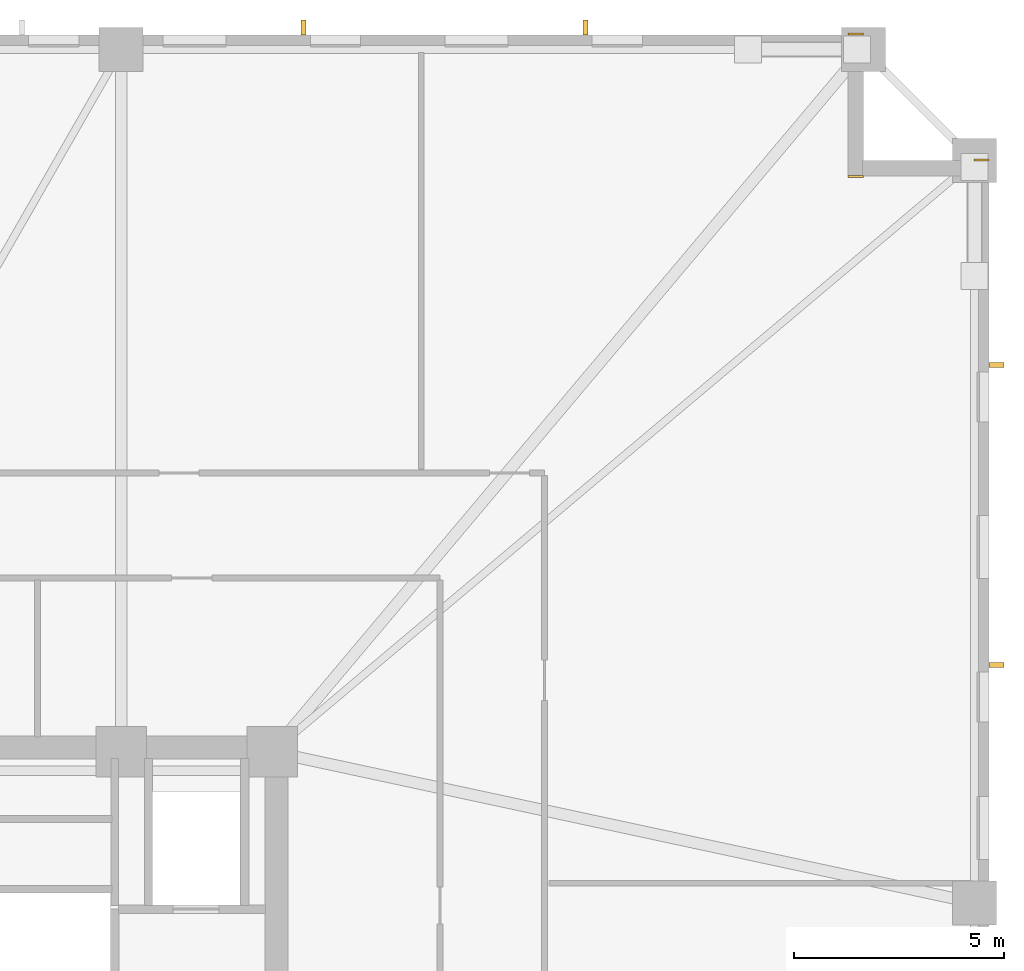
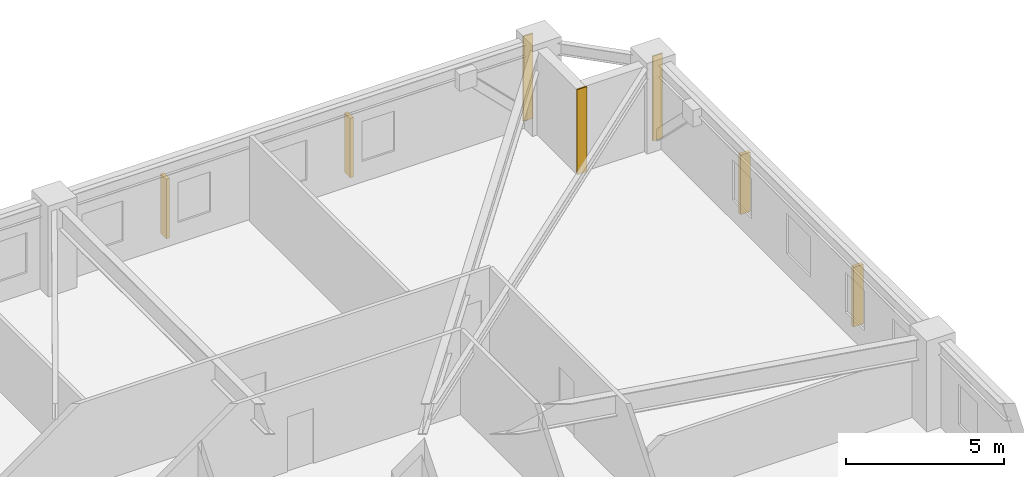
# One storey, part 11 of 11: 4 shading devices, 3 coverings.
"""IFC4 building model written with IfcOpenShell, lengths in metres."""

from ifc_helpers import new_model, si_unit, direction, frame, frame_2d, origin, origin_2d, place, context, subcontext, project, spatial, rectangle, extrude, material, layer, layer_set, type_object, element, save


model = new_model("IFC4")

# Units and contexts
model_context = context("Model", 3, precision=1e-05, world=origin(), true_north=direction((0.0, 1.0)))
body_context = subcontext(model_context, "Body", "Model", "MODEL_VIEW")
ifc_project = project(units=[si_unit("LENGTHUNIT", "METRE"), si_unit("AREAUNIT", "SQUARE_METRE"), si_unit("VOLUMEUNIT", "CUBIC_METRE"), si_unit("PLANEANGLEUNIT", "RADIAN"), si_unit("MASSUNIT", "GRAM", prefix="KILO")], contexts=[model_context])

# Site, building, storey
site_placement = place(None, origin())
site = spatial("IfcSite", under=ifc_project, at=site_placement, CompositionType="ELEMENT")
building_placement = place(site_placement, origin())
building = spatial("IfcBuilding", under=site, at=building_placement, Name="Cairnveth Concourse Tower", CompositionType="ELEMENT")
storey_placement = place(building_placement, frame((0.0, 0.0, 55.0)))
storey = spatial("IfcBuildingStorey", under=building, at=storey_placement, Name="L14", CompositionType="ELEMENT", Elevation=55.0)

# Coverings
ifc_material_1 = material(Name="Dressed Melbourne Bluestone Cladding", Category="masonry")
ifc_layer = layer(ifc_material_1, 0.050048828125)
ifc_layer_set = layer_set([ifc_layer], Name="Dressed Melbourne Bluestone Cladding")
covering_type = type_object("IfcCoveringType", Name="DRESSED BLUESTONE PLINTH CLADDING 50", PredefinedType="CLADDING", material=ifc_layer_set)
for number, where, z_axis, x_axis, name in (
    (1, (74.139892578125, 64.52001953125, 0.0), (0.0, 0.0, 1.0), (1.0, 0.0, 0.0), "Melbourne Bluestone Corner Quoin L14-177"),
    (2, (74.139892578125, 61.1201171875, 0.0), (0.0, 0.0, 1.0), (1.0, 0.0, 0.0), "Melbourne Bluestone Corner Quoin L14-178"),
    (3, (77.139892578125, 61.52001953125, 0.0), (0.0, 0.0, 1.0), (1.0, 0.0, 0.0), "Melbourne Bluestone Corner Quoin L14-179"),
):
    element("IfcCovering", number, at=place(storey_placement, frame(where, z_axis=z_axis, x_axis=x_axis)), inside=storey, type_object=covering_type, Name=name, PredefinedType="CLADDING", context=body_context, shape_type="SweptSolid", body=[
        extrude(rectangle(XDim=0.360107421875, YDim=0.050048828125, at=frame_2d((0.18017578125, 0.0))), origin(), (0.0, 0.0, 1.0), 3.280029296875),
    ])

# Shading devices
ifc_material_2 = material(Name="Architectural Bronze Anodised Aluminium 6063-T6", Category="aluminium")
shading_device_type = type_object("IfcShadingDeviceType", Name="GOTHIC BRONZE VERTICAL LANCET FIN", PredefinedType="USERDEFINED", material=ifc_material_2)
for number, where, z_axis, x_axis, name in (
    (4, (61.151611328125, 64.675048828125, 0.02978515625), (0.0, 0.0, 1.0), (1.0, 0.0, 0.0), "Gothic Bronze Vertical Fin L14-9-9"),
    (5, (67.871826171875, 64.675048828125, 0.02978515625), (0.0, 0.0, 1.0), (1.0, 0.0, 0.0), "Gothic Bronze Vertical Fin L14-9-11"),
    (6, (77.675048828125, 56.62158203125, 0.02978515625), (0.0, 0.0, 1.0), (0.0, 1.0, 0.0), "Gothic Bronze Vertical Fin L14-12-1"),
    (7, (77.675048828125, 49.467529296875, 0.02978515625), (0.0, 0.0, 1.0), (0.0, 1.0, 0.0), "Gothic Bronze Vertical Fin L14-12-3"),
):
    element("IfcShadingDevice", number, at=place(storey_placement, frame(where, z_axis=z_axis, x_axis=x_axis)), inside=storey, type_object=shading_device_type, Name=name, ObjectType="VERTICAL FIN", PredefinedType="USERDEFINED", context=body_context, shape_type="SweptSolid", body=[
        extrude(rectangle(XDim=0.1201171875, YDim=0.360107421875, at=origin_2d()), origin(), (0.0, 0.0, 1.0), 2.303955078125),
    ])

save(model, "model.ifc")
